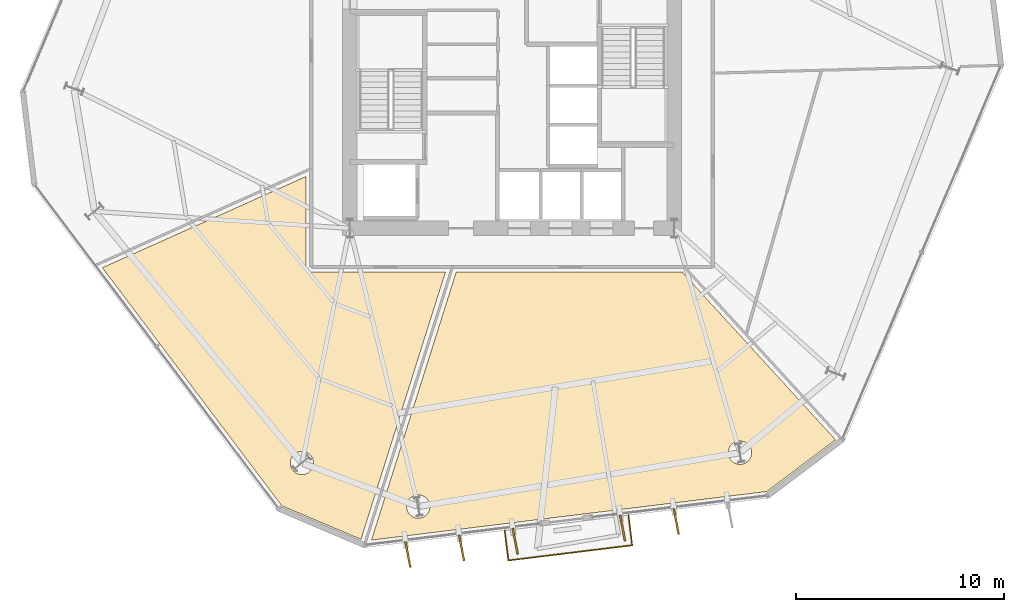
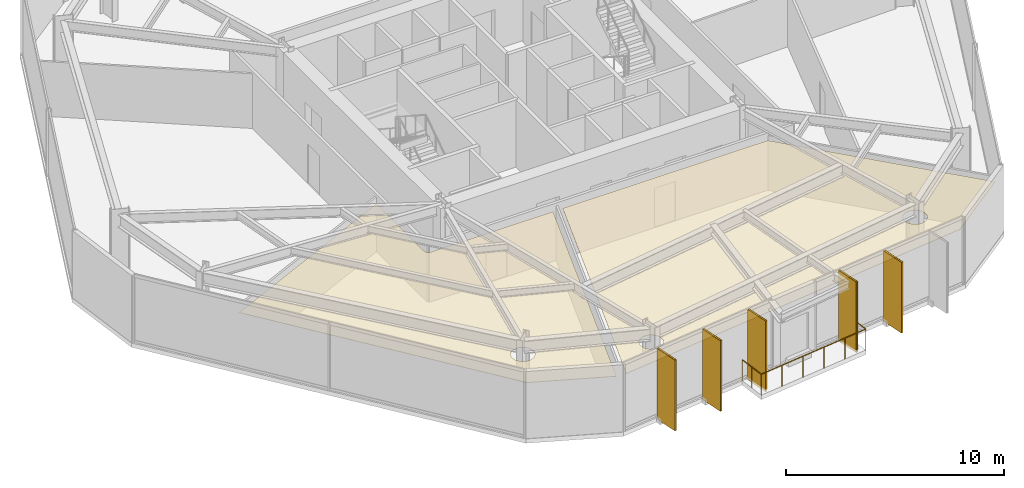
# One storey, part 9 of 11: 7 coverings, 5 shading devices, 1 railing.
"""IFC4 building model written with IfcOpenShell, lengths in metres."""

from ifc_helpers import new_model, si_unit, direction, frame, origin, origin_2d, place, context, subcontext, project, spatial, polyline, rectangle, circle, outline, extrude, material, layer, layer_set, type_object, element, save


model = new_model("IFC4")

# Units and contexts
model_context = context("Model", 3, precision=1e-05, world=origin(), true_north=direction((0.0, 1.0)))
body_context = subcontext(model_context, "Body", "Model", "MODEL_VIEW")
ifc_project = project(units=[si_unit("LENGTHUNIT", "METRE"), si_unit("AREAUNIT", "SQUARE_METRE"), si_unit("VOLUMEUNIT", "CUBIC_METRE"), si_unit("PLANEANGLEUNIT", "RADIAN"), si_unit("MASSUNIT", "GRAM", prefix="KILO")], contexts=[model_context])

# Site, building, storey
site_placement = place(None, origin())
site = spatial("IfcSite", under=ifc_project, at=site_placement, CompositionType="ELEMENT")
building_placement = place(site_placement, origin())
building = spatial("IfcBuilding", under=site, at=building_placement, Name="Kranzbogen Civic Tower", CompositionType="ELEMENT")
storey_placement = place(building_placement, frame((0.0, 0.0, 48.0)))
storey = spatial("IfcBuildingStorey", under=building, at=storey_placement, Name="L11", CompositionType="ELEMENT", Elevation=48.0)

# Coverings
ifc_material_1 = material(Name="Pale Anodised Aluminium", Category="aluminium")
ifc_layer_1 = layer(ifc_material_1, 0.02490234375, Name="Pale Anodised Aluminium")
ifc_layer_set_1 = layer_set([ifc_layer_1], Name="Pale Anodised Aluminium")
covering_type_1 = type_object("IfcCoveringType", Name="Anodised Aluminium Vertical Fin Cladding 25 mm", PredefinedType="CLADDING", material=ifc_layer_set_1)
for number, where, z_axis, x_axis, name in (
    (1, (19.993896484375, 2.12109375, -0.139892578125), (0.0, 0.0, 1.0), (0.189866613158, -0.981809894637, 0.0), "L11 vertical fin pale-metal cladding F5-1"),
    (2, (22.573974609375, 2.43798828125, -0.139892578125), (0.0, 0.0, 1.0), (0.189866613158, -0.981809894637, 0.0), "L11 vertical fin pale-metal cladding F5-2"),
    (3, (25.155029296875, 2.7548828125, -0.139892578125), (0.0, 0.0, 1.0), (0.189866613158, -0.981809894637, 0.0), "L11 vertical fin pale-metal cladding F5-3"),
    (4, (30.31591796875, 3.387939453125, -0.139892578125), (0.0, 0.0, 1.0), (0.189866613158, -0.981809894637, 0.0), "L11 vertical fin pale-metal cladding F5-5"),
    (5, (32.89697265625, 3.705078125, -0.139892578125), (0.0, 0.0, 1.0), (0.189866613158, -0.981809894637, 0.0), "L11 vertical fin pale-metal cladding F5-6"),
):
    element("IfcCovering", number, at=place(storey_placement, frame(where, z_axis=z_axis, x_axis=x_axis)), inside=storey, type_object=covering_type_1, Name=name, PredefinedType="CLADDING", context=body_context, shape_type="SweptSolid", body=[
        extrude(rectangle(XDim=1.25, YDim=0.10009765625, at=origin_2d()), origin(), (0.0, 0.0, 1.0), 3.9599609375),
    ])

# Shading devices
ifc_material_2 = material(Name="Anodised Bronze Aluminium", Category="aluminium")
shading_device_type = type_object("IfcShadingDeviceType", Name="Anodised Bronze Vertical Facade Fin 1250x80", PredefinedType="USERDEFINED", material=ifc_material_2)
for number, where, z_axis, x_axis, name in (
    (6, (19.993896484375, 2.12109375, -0.139892578125), (0.0, 0.0, 1.0), (0.189866613158, -0.981809894637, 0.0), "L11 vertical exterior shading fin F5-1"),
    (7, (22.573974609375, 2.43798828125, -0.139892578125), (0.0, 0.0, 1.0), (0.189866613158, -0.981809894637, 0.0), "L11 vertical exterior shading fin F5-2"),
    (8, (25.155029296875, 2.7548828125, -0.139892578125), (0.0, 0.0, 1.0), (0.189866613158, -0.981809894637, 0.0), "L11 vertical exterior shading fin F5-3"),
    (9, (30.31591796875, 3.387939453125, -0.139892578125), (0.0, 0.0, 1.0), (0.189866613158, -0.981809894637, 0.0), "L11 vertical exterior shading fin F5-5"),
    (10, (32.89697265625, 3.705078125, -0.139892578125), (0.0, 0.0, 1.0), (0.189866613158, -0.981809894637, 0.0), "L11 vertical exterior shading fin F5-6"),
):
    element("IfcShadingDevice", number, at=place(storey_placement, frame(where, z_axis=z_axis, x_axis=x_axis)), inside=storey, type_object=shading_device_type, Name=name, ObjectType="FIN", PredefinedType="USERDEFINED", context=body_context, shape_type="SweptSolid", body=[
        extrude(rectangle(XDim=1.25, YDim=0.080078125, at=origin_2d()), origin(), (0.0, 0.0, 1.0), 3.9599609375),
    ])

# Railing
railing_type = type_object("IfcRailingType", Name="Cantilevered Balcony Glass and Bronze Balustrade 1200", PredefinedType="BALUSTRADE", material=ifc_material_2)
railing_placement = place(storey_placement, frame((24.64599609375, 3.27001953125, 0.0)))
element("IfcRailing", 11, at=railing_placement, inside=storey, type_object=railing_type, Name="L11 exterior terrace balustrade L11-TB1", PredefinedType="BALUSTRADE", context=body_context, shape_type="SweptSolid", body=[
    extrude(circle(Radius=0.02392578125, at=origin_2d()), frame((0.0, 0.0, 1.17578125), z_axis=(0.122086296168, -0.992519489123, 0.0), x_axis=(0.992519489123, 0.122086296168, 0.0)), (0.0, 0.0, 1.0), 1.44970703125),
    extrude(circle(Radius=0.02392578125, at=origin_2d()), frame((0.177001953125, -1.43896484375, 1.17578125), z_axis=(0.99255088108, 0.121830819037, 0.0), x_axis=(-0.121830819037, 0.99255088108, 0.0)), (0.0, 0.0, 1.0), 5.999755859375),
    extrude(circle(Radius=0.02392578125, at=origin_2d()), frame((6.132080078125, -0.7080078125, 1.17578125), z_axis=(-0.122086296168, 0.992519489123, 0.0), x_axis=(-0.992519489123, -0.122086296168, 0.0)), (0.0, 0.0, 1.0), 1.44970703125),
    extrude(circle(Radius=0.02099609375, at=origin_2d()), origin(), (0.0, 0.0, 1.0), 1.15185546875),
    extrude(circle(Radius=0.02099609375, at=origin_2d()), frame((0.08837890625, -0.719482421875, 0.0)), (0.0, 0.0, 1.0), 1.15185546875),
    extrude(circle(Radius=0.02099609375, at=origin_2d()), frame((0.177001953125, -1.43896484375, 0.0)), (0.0, 0.0, 1.0), 1.15185546875),
    extrude(circle(Radius=0.02099609375, at=origin_2d()), frame((1.367919921875, -1.292724609375, 0.0)), (0.0, 0.0, 1.0), 1.15185546875),
    extrude(circle(Radius=0.02099609375, at=origin_2d()), frame((2.55908203125, -1.146484375, 0.0)), (0.0, 0.0, 1.0), 1.15185546875),
    extrude(circle(Radius=0.02099609375, at=origin_2d()), frame((3.75, -1.00048828125, 0.0)), (0.0, 0.0, 1.0), 1.15185546875),
    extrude(circle(Radius=0.02099609375, at=origin_2d()), frame((4.941162109375, -0.854248046875, 0.0)), (0.0, 0.0, 1.0), 1.15185546875),
    extrude(circle(Radius=0.02099609375, at=origin_2d()), frame((6.132080078125, -0.7080078125, 0.0)), (0.0, 0.0, 1.0), 1.15185546875),
    extrude(circle(Radius=0.02099609375, at=origin_2d()), frame((6.04345703125, 0.011474609375, 0.0)), (0.0, 0.0, 1.0), 1.15185546875),
    extrude(circle(Radius=0.02099609375, at=origin_2d()), frame((5.955078125, 0.73095703125, 0.0)), (0.0, 0.0, 1.0), 1.15185546875),
])

# Coverings
ifc_material_3 = material(Name="Perforated Acoustic Gypsum Ceiling")
ifc_layer_2 = layer(ifc_material_3, 0.02490234375, Name="Perforated Acoustic Gypsum Ceiling")
ifc_layer_set_2 = layer_set([ifc_layer_2], Name="Perforated Acoustic Gypsum Ceiling")
covering_type_2 = type_object("IfcCoveringType", Name="Perforated Acoustic Mineral Ceiling Tile 25 mm", PredefinedType="CEILING", material=ifc_layer_set_2)
covering_1_placement = place(storey_placement, frame((0.0, 0.0, 2.89990234375)))
element("IfcCovering", 12, at=covering_1_placement, inside=storey, type_object=covering_type_2, Name="L11 Ministerial Policy Office acoustic ceiling", PredefinedType="CEILING", context=body_context, shape_type="SweptSolid", body=[
    extrude(outline(polyline([(5.306884765625, 15.906982421875), (15.10498046875, 20.297119140625), (15.10498046875, 15.949951171875), (15.10498046875, 15.94091796875), (15.10595703125, 15.93505859375), (15.10693359375, 15.9169921875), (15.10791015625, 15.910888671875), (15.112060546875, 15.89404296875), (15.113037109375, 15.886962890625), (15.117919921875, 15.8701171875), (15.1201171875, 15.864013671875), (15.126953125, 15.847900390625), (15.1298828125, 15.842041015625), (15.137939453125, 15.826904296875), (15.14208984375, 15.821044921875), (15.15087890625, 15.806884765625), (15.155029296875, 15.802001953125), (15.166015625, 15.7880859375), (15.1708984375, 15.782958984375), (15.18310546875, 15.77099609375), (15.18798828125, 15.76611328125), (15.201904296875, 15.7548828125), (15.20703125, 15.7509765625), (15.220947265625, 15.741943359375), (15.22705078125, 15.738037109375), (15.241943359375, 15.72998046875), (15.248046875, 15.72705078125), (15.263916015625, 15.719970703125), (15.27001953125, 15.718017578125), (15.287109375, 15.712890625), (15.2939453125, 15.7119140625), (15.31103515625, 15.7080078125), (15.31689453125, 15.70703125), (15.3349609375, 15.7060546875), (15.341064453125, 15.705078125), (15.35009765625, 15.705078125), (21.803955078125, 15.705078125), (17.739013671875, 2.844970703125), (13.931884765625, 4.4609375), (5.306884765625, 15.906982421875)]), holes=[polyline([(15.41796875, 6.302001953125), (15.39404296875, 6.251953125), (15.365966796875, 6.205078125), (15.3330078125, 6.160888671875), (15.297119140625, 6.1201171875), (15.256103515625, 6.083984375), (15.2119140625, 6.051025390625), (15.1650390625, 6.02294921875), (15.114990234375, 5.9990234375), (15.06298828125, 5.98095703125), (15.010009765625, 5.967041015625), (14.9560546875, 5.958984375), (14.90087890625, 5.95703125), (14.845947265625, 5.958984375), (14.7919921875, 5.967041015625), (14.739013671875, 5.98095703125), (14.68701171875, 5.9990234375), (14.636962890625, 6.02294921875), (14.590087890625, 6.051025390625), (14.5458984375, 6.083984375), (14.5048828125, 6.1201171875), (14.468994140625, 6.160888671875), (14.43603515625, 6.205078125), (14.407958984375, 6.251953125), (14.384033203125, 6.302001953125), (14.365966796875, 6.35400390625), (14.35205078125, 6.406982421875), (14.343994140625, 6.4609375), (14.342041015625, 6.51611328125), (14.343994140625, 6.571044921875), (14.35205078125, 6.625), (14.365966796875, 6.677978515625), (14.384033203125, 6.72998046875), (14.407958984375, 6.780029296875), (14.43603515625, 6.826904296875), (14.468994140625, 6.87109375), (14.5048828125, 6.912109375), (14.5458984375, 6.947998046875), (14.590087890625, 6.98095703125), (14.636962890625, 7.009033203125), (14.68701171875, 7.032958984375), (14.739013671875, 7.051025390625), (14.7919921875, 7.06494140625), (14.845947265625, 7.072998046875), (14.90087890625, 7.074951171875), (14.9560546875, 7.072998046875), (15.010009765625, 7.06494140625), (15.06298828125, 7.051025390625), (15.114990234375, 7.032958984375), (15.1650390625, 7.009033203125), (15.2119140625, 6.98095703125), (15.256103515625, 6.947998046875), (15.297119140625, 6.912109375), (15.3330078125, 6.87109375), (15.365966796875, 6.826904296875), (15.39404296875, 6.780029296875), (15.41796875, 6.72998046875), (15.43603515625, 6.677978515625), (15.449951171875, 6.625), (15.4580078125, 6.571044921875), (15.4599609375, 6.51611328125), (15.4580078125, 6.4609375), (15.449951171875, 6.406982421875), (15.43603515625, 6.35400390625), (15.41796875, 6.302001953125)])]), origin(), (0.0, 0.0, 1.0), 0.025146484375),
])
covering_2_placement = place(storey_placement, frame((0.0, 0.0, 2.89990234375)))
element("IfcCovering", 13, at=covering_2_placement, inside=storey, type_object=covering_type_2, Name="L11 Directorate Admin Workspace acoustic ceiling", PredefinedType="CEILING", context=body_context, shape_type="SweptSolid", body=[
    extrude(outline(polyline([(18.241943359375, 2.81103515625), (22.318115234375, 15.705078125), (33.172119140625, 15.705078125), (40.555908203125, 7.635009765625), (37.2529296875, 5.14501953125), (18.241943359375, 2.81103515625)]), holes=[polyline([(21.011962890625, 4.2099609375), (20.988037109375, 4.159912109375), (20.9599609375, 4.113037109375), (20.927001953125, 4.069091796875), (20.89111328125, 4.028076171875), (20.85009765625, 3.991943359375), (20.805908203125, 3.958984375), (20.759033203125, 3.930908203125), (20.708984375, 3.906982421875), (20.656982421875, 3.888916015625), (20.60400390625, 3.875), (20.550048828125, 3.866943359375), (20.4951171875, 3.864990234375), (20.43994140625, 3.866943359375), (20.385986328125, 3.875), (20.3330078125, 3.888916015625), (20.281005859375, 3.906982421875), (20.23095703125, 3.930908203125), (20.18408203125, 3.958984375), (20.139892578125, 3.991943359375), (20.09912109375, 4.028076171875), (20.06298828125, 4.069091796875), (20.030029296875, 4.113037109375), (20.001953125, 4.159912109375), (19.97802734375, 4.2099609375), (19.9599609375, 4.261962890625), (19.946044921875, 4.31494140625), (19.93798828125, 4.368896484375), (19.93603515625, 4.424072265625), (19.93798828125, 4.47900390625), (19.946044921875, 4.532958984375), (19.9599609375, 4.5859375), (19.97802734375, 4.637939453125), (20.001953125, 4.68798828125), (20.030029296875, 4.735107421875), (20.06298828125, 4.779052734375), (20.09912109375, 4.820068359375), (20.139892578125, 4.85595703125), (20.18408203125, 4.888916015625), (20.23095703125, 4.9169921875), (20.281005859375, 4.94091796875), (20.3330078125, 4.958984375), (20.385986328125, 4.972900390625), (20.43994140625, 4.98095703125), (20.4951171875, 4.98291015625), (20.550048828125, 4.98095703125), (20.60400390625, 4.972900390625), (20.656982421875, 4.958984375), (20.708984375, 4.94091796875), (20.759033203125, 4.9169921875), (20.805908203125, 4.888916015625), (20.85009765625, 4.85595703125), (20.89111328125, 4.820068359375), (20.927001953125, 4.779052734375), (20.9599609375, 4.735107421875), (20.988037109375, 4.68798828125), (21.011962890625, 4.637939453125), (21.030029296875, 4.5859375), (21.0439453125, 4.532958984375), (21.052001953125, 4.47900390625), (21.053955078125, 4.424072265625), (21.052001953125, 4.368896484375), (21.0439453125, 4.31494140625), (21.030029296875, 4.261962890625), (21.011962890625, 4.2099609375)]), polyline([(36.47509765625, 6.798095703125), (36.450927734375, 6.748046875), (36.423095703125, 6.700927734375), (36.389892578125, 6.656982421875), (36.35400390625, 6.615966796875), (36.31298828125, 6.580078125), (36.26904296875, 6.547119140625), (36.221923828125, 6.51904296875), (36.172119140625, 6.4951171875), (36.1201171875, 6.47705078125), (36.06689453125, 6.462890625), (36.012939453125, 6.455078125), (35.9580078125, 6.452880859375), (35.903076171875, 6.455078125), (35.84912109375, 6.462890625), (35.7958984375, 6.47705078125), (35.743896484375, 6.4951171875), (35.694091796875, 6.51904296875), (35.64697265625, 6.547119140625), (35.60302734375, 6.580078125), (35.56201171875, 6.615966796875), (35.52587890625, 6.656982421875), (35.492919921875, 6.700927734375), (35.465087890625, 6.748046875), (35.44091796875, 6.798095703125), (35.423095703125, 6.85009765625), (35.408935546875, 6.903076171875), (35.40087890625, 6.95703125), (35.39892578125, 7.011962890625), (35.40087890625, 7.06689453125), (35.408935546875, 7.12109375), (35.423095703125, 7.174072265625), (35.44091796875, 7.22607421875), (35.465087890625, 7.27587890625), (35.492919921875, 7.322998046875), (35.52587890625, 7.366943359375), (35.56201171875, 7.407958984375), (35.60302734375, 7.444091796875), (35.64697265625, 7.47705078125), (35.694091796875, 7.5048828125), (35.743896484375, 7.529052734375), (35.7958984375, 7.547119140625), (35.84912109375, 7.56103515625), (35.903076171875, 7.569091796875), (35.9580078125, 7.571044921875), (36.012939453125, 7.569091796875), (36.06689453125, 7.56103515625), (36.1201171875, 7.547119140625), (36.172119140625, 7.529052734375), (36.221923828125, 7.5048828125), (36.26904296875, 7.47705078125), (36.31298828125, 7.444091796875), (36.35400390625, 7.407958984375), (36.389892578125, 7.366943359375), (36.423095703125, 7.322998046875), (36.450927734375, 7.27587890625), (36.47509765625, 7.22607421875), (36.492919921875, 7.174072265625), (36.507080078125, 7.12109375), (36.514892578125, 7.06689453125), (36.51708984375, 7.011962890625), (36.514892578125, 6.95703125), (36.507080078125, 6.903076171875), (36.492919921875, 6.85009765625), (36.47509765625, 6.798095703125)])]), origin(), (0.0, 0.0, 1.0), 0.025146484375),
])

save(model, "model.ifc")
